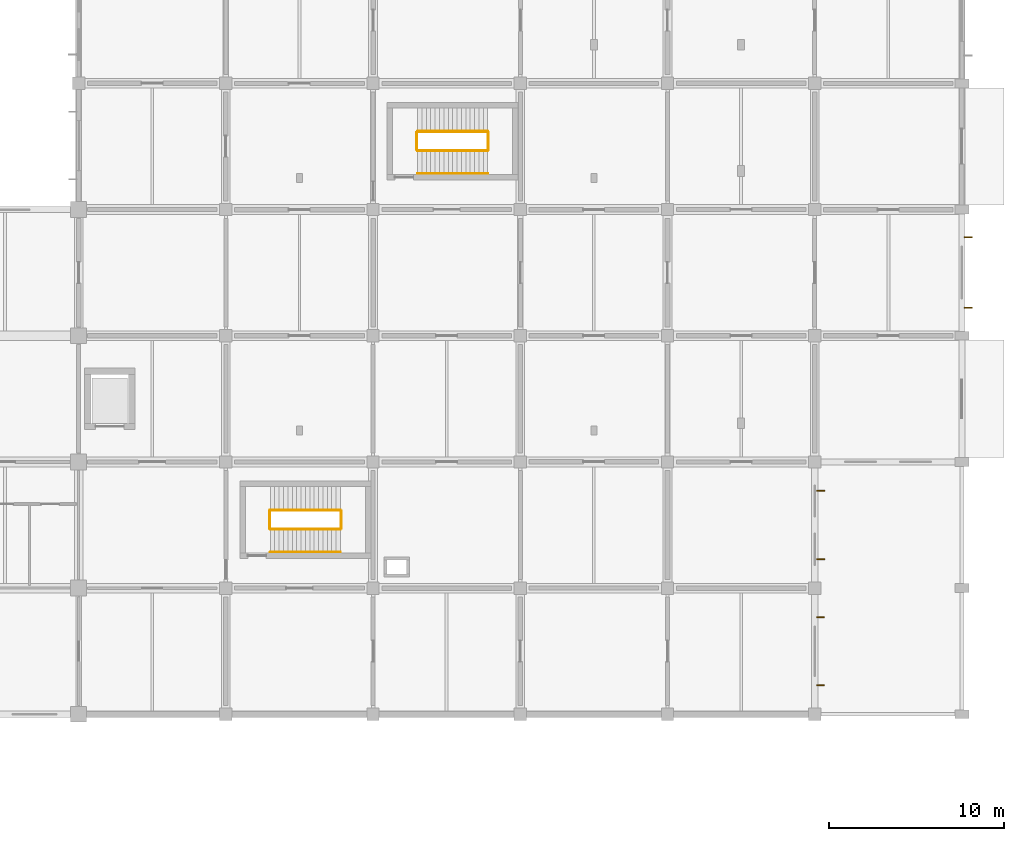
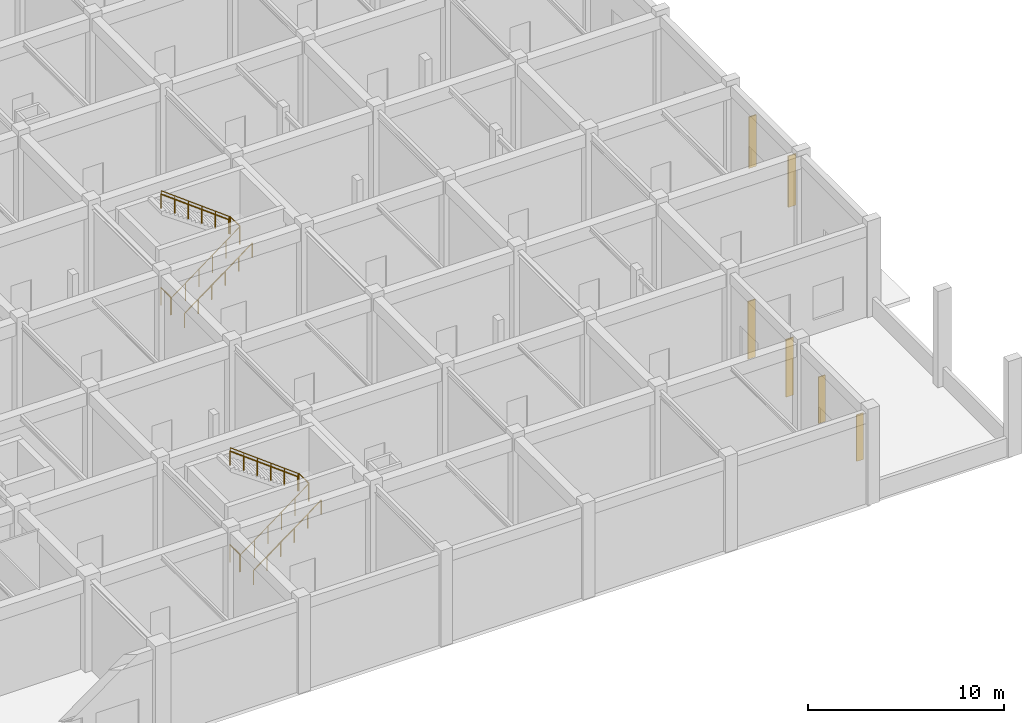
# One storey, part 37 of 39: 12 railings, 6 shading devices.
"""IFC4 building model written with IfcOpenShell, lengths in metres."""

from ifc_helpers import new_model, si_unit, derived_unit, direction, frame, origin, origin_2d, place, context, subcontext, project, spatial, rectangle, circle, extrude, material, layer, layer_set, type_object, element, save


model = new_model("IFC4")

# Units and contexts
model_context = context("Model", 3, precision=1e-05, world=origin(), true_north=direction((0.0, 1.0)))
body_context = subcontext(model_context, "Body", "Model", "MODEL_VIEW")
ifc_project = project(units=[si_unit("LENGTHUNIT", "METRE"), si_unit("AREAUNIT", "SQUARE_METRE"), si_unit("VOLUMEUNIT", "CUBIC_METRE"), si_unit("PLANEANGLEUNIT", "RADIAN"), si_unit("MASSUNIT", "GRAM", prefix="KILO"), derived_unit("THERMALTRANSMITTANCEUNIT", [(si_unit("MASSUNIT", "GRAM", prefix="KILO"), 1), (si_unit("TIMEUNIT", "SECOND"), -3), (si_unit("THERMODYNAMICTEMPERATUREUNIT", "KELVIN"), -1)])], contexts=[model_context])

# Site, building, storey
site_placement = place(None, origin())
site = spatial("IfcSite", under=ifc_project, at=site_placement, CompositionType="ELEMENT")
building_placement = place(site_placement, origin())
building = spatial("IfcBuilding", under=site, at=building_placement, Name="Veldstrom Oceanarium and Marine Research Institute", CompositionType="ELEMENT")
storey_placement = place(building_placement, origin())
storey = spatial("IfcBuildingStorey", under=building, at=storey_placement, Name="L00", CompositionType="ELEMENT", Elevation=0.0)

# Railings
ifc_material_1 = material(Name="Duplex Stainless Steel Balustrade", Category="steel")
ifc_layer_1 = layer(ifc_material_1, 0.06005859375)
ifc_layer_set_1 = layer_set([ifc_layer_1], Name="ARC-RLG-GR1")
railing_type_1 = type_object("IfcRailingType", Name="ARC-RLG-GR1", PredefinedType="GUARDRAIL", material=ifc_layer_set_1)
railing_1_placement = place(storey_placement, frame((128.5, 53.800048828125, 0.0)))
element("IfcRailing", 1, at=railing_1_placement, inside=storey, type_object=railing_type_1, Name="Stair Well Landing Guard ST4 L00", PredefinedType="GUARDRAIL", context=body_context, shape_type="SweptSolid", body=[
    extrude(circle(Radius=0.02392578125, at=origin_2d()), frame((0.0, 0.0, 1.09619140625), z_axis=(0.0, 1.0, 0.0), x_axis=(-1.0, 0.0, 0.0)), (0.0, 0.0, 1.0), 1.0),
    extrude(circle(Radius=0.02099609375, at=origin_2d()), origin(), (0.0, 0.0, 1.0), 1.072021484375),
    extrude(circle(Radius=0.02099609375, at=origin_2d()), frame((0.0, 1.0, 0.0)), (0.0, 0.0, 1.0), 1.072021484375),
])
railing_2_placement = place(storey_placement, frame((128.5400390625, 53.760009765625, 0.0)))
element("IfcRailing", 2, at=railing_2_placement, inside=storey, type_object=railing_type_1, Name="Stair Flight Guardrail ST4-L00-1", PredefinedType="GUARDRAIL", context=body_context, shape_type="SweptSolid", body=[
    extrude(circle(Radius=0.02392578125, at=origin_2d()), frame((0.0, 0.0, 1.09619140625), z_axis=(0.8, 0.0, 0.6), x_axis=(0.0, 1.0, 0.0)), (0.0, 0.0, 1.0), 5.0),
    extrude(circle(Radius=0.02099609375, at=origin_2d()), origin(), (0.0, 0.0, 1.0), 1.072021484375),
    extrude(circle(Radius=0.02099609375, at=origin_2d()), frame((0.800048828125, 0.0, 0.60009765625)), (0.0, 0.0, 1.0), 1.072021484375),
    extrude(circle(Radius=0.02099609375, at=origin_2d()), frame((1.60009765625, 0.0, 1.199951171875)), (0.0, 0.0, 1.0), 1.072021484375),
    extrude(circle(Radius=0.02099609375, at=origin_2d()), frame((2.39990234375, 0.0, 1.800048828125)), (0.0, 0.0, 1.0), 1.072021484375),
    extrude(circle(Radius=0.02099609375, at=origin_2d()), frame((3.199951171875, 0.0, 2.39990234375)), (0.0, 0.0, 1.0), 1.072021484375),
    extrude(circle(Radius=0.02099609375, at=origin_2d()), frame((4.0, 0.0, 3.0)), (0.0, 0.0, 1.0), 1.072021484375),
])
railing_3_placement = place(storey_placement, frame((132.580078125, 53.800048828125, 3.0)))
element("IfcRailing", 3, at=railing_3_placement, inside=storey, type_object=railing_type_1, Name="Stair Half-Landing Guardrail ST4-L00", PredefinedType="GUARDRAIL", context=body_context, shape_type="SweptSolid", body=[
    extrude(circle(Radius=0.02392578125, at=origin_2d()), frame((0.0, 0.0, 1.09619140625), z_axis=(0.0, 1.0, 0.0), x_axis=(-1.0, 0.0, 0.0)), (0.0, 0.0, 1.0), 1.0),
    extrude(circle(Radius=0.02099609375, at=origin_2d()), origin(), (0.0, 0.0, 1.0), 1.072021484375),
    extrude(circle(Radius=0.02099609375, at=origin_2d()), frame((0.0, 1.0, 0.0)), (0.0, 0.0, 1.0), 1.072021484375),
])
railing_4_placement = place(storey_placement, frame((132.5400390625, 54.840087890625, 3.0)))
element("IfcRailing", 4, at=railing_4_placement, inside=storey, type_object=railing_type_1, Name="Stair Flight Guardrail ST4-L00-2", PredefinedType="GUARDRAIL", context=body_context, shape_type="SweptSolid", body=[
    extrude(circle(Radius=0.02392578125, at=origin_2d()), frame((0.0, 0.0, 1.09619140625), z_axis=(-0.8, 0.0, 0.6), x_axis=(0.0, -1.0, 0.0)), (0.0, 0.0, 1.0), 5.0),
    extrude(circle(Radius=0.02099609375, at=origin_2d()), origin(), (0.0, 0.0, 1.0), 1.072021484375),
    extrude(circle(Radius=0.02099609375, at=origin_2d()), frame((-0.800048828125, 0.0, 0.60009765625)), (0.0, 0.0, 1.0), 1.072021484375),
    extrude(circle(Radius=0.02099609375, at=origin_2d()), frame((-1.60009765625, 0.0, 1.199951171875)), (0.0, 0.0, 1.0), 1.072021484375),
    extrude(circle(Radius=0.02099609375, at=origin_2d()), frame((-2.39990234375, 0.0, 1.800048828125)), (0.0, 0.0, 1.0), 1.072021484375),
    extrude(circle(Radius=0.02099609375, at=origin_2d()), frame((-3.199951171875, 0.0, 2.39990234375)), (0.0, 0.0, 1.0), 1.072021484375),
    extrude(circle(Radius=0.02099609375, at=origin_2d()), frame((-4.0, 0.0, 3.0)), (0.0, 0.0, 1.0), 1.072021484375),
])
railing_5_placement = place(storey_placement, frame((136.89990234375, 75.39990234375, 0.0)))
element("IfcRailing", 5, at=railing_5_placement, inside=storey, type_object=railing_type_1, Name="Stair Well Landing Guard ST7 L00", PredefinedType="GUARDRAIL", context=body_context, shape_type="SweptSolid", body=[
    extrude(circle(Radius=0.02392578125, at=origin_2d()), frame((0.0, 0.0, 1.09619140625), z_axis=(0.0, 1.0, 0.0), x_axis=(-1.0, 0.0, 0.0)), (0.0, 0.0, 1.0), 1.0),
    extrude(circle(Radius=0.02099609375, at=origin_2d()), origin(), (0.0, 0.0, 1.0), 1.072021484375),
    extrude(circle(Radius=0.02099609375, at=origin_2d()), frame((0.0, 1.0, 0.0)), (0.0, 0.0, 1.0), 1.072021484375),
])
railing_6_placement = place(storey_placement, frame((136.93994140625, 75.360107421875, 0.0)))
element("IfcRailing", 6, at=railing_6_placement, inside=storey, type_object=railing_type_1, Name="Stair Flight Guardrail ST7-L00-1", PredefinedType="GUARDRAIL", context=body_context, shape_type="SweptSolid", body=[
    extrude(circle(Radius=0.02392578125, at=origin_2d()), frame((0.0, 0.0, 1.09619140625), z_axis=(0.8, 0.0, 0.6), x_axis=(0.0, 1.0, 0.0)), (0.0, 0.0, 1.0), 5.0),
    extrude(circle(Radius=0.02099609375, at=origin_2d()), origin(), (0.0, 0.0, 1.0), 1.072021484375),
    extrude(circle(Radius=0.02099609375, at=origin_2d()), frame((0.800048828125, 0.0, 0.60009765625)), (0.0, 0.0, 1.0), 1.072021484375),
    extrude(circle(Radius=0.02099609375, at=origin_2d()), frame((1.60009765625, 0.0, 1.199951171875)), (0.0, 0.0, 1.0), 1.072021484375),
    extrude(circle(Radius=0.02099609375, at=origin_2d()), frame((2.39990234375, 0.0, 1.800048828125)), (0.0, 0.0, 1.0), 1.072021484375),
    extrude(circle(Radius=0.02099609375, at=origin_2d()), frame((3.199951171875, 0.0, 2.39990234375)), (0.0, 0.0, 1.0), 1.072021484375),
    extrude(circle(Radius=0.02099609375, at=origin_2d()), frame((4.0, 0.0, 3.0)), (0.0, 0.0, 1.0), 1.072021484375),
])
railing_7_placement = place(storey_placement, frame((140.97998046875, 75.39990234375, 3.0)))
element("IfcRailing", 7, at=railing_7_placement, inside=storey, type_object=railing_type_1, Name="Stair Half-Landing Guardrail ST7-L00", PredefinedType="GUARDRAIL", context=body_context, shape_type="SweptSolid", body=[
    extrude(circle(Radius=0.02392578125, at=origin_2d()), frame((0.0, 0.0, 1.09619140625), z_axis=(0.0, 1.0, 0.0), x_axis=(-1.0, 0.0, 0.0)), (0.0, 0.0, 1.0), 1.0),
    extrude(circle(Radius=0.02099609375, at=origin_2d()), origin(), (0.0, 0.0, 1.0), 1.072021484375),
    extrude(circle(Radius=0.02099609375, at=origin_2d()), frame((0.0, 1.0, 0.0)), (0.0, 0.0, 1.0), 1.072021484375),
])
railing_8_placement = place(storey_placement, frame((140.93994140625, 76.43994140625, 3.0)))
element("IfcRailing", 8, at=railing_8_placement, inside=storey, type_object=railing_type_1, Name="Stair Flight Guardrail ST7-L00-2", PredefinedType="GUARDRAIL", context=body_context, shape_type="SweptSolid", body=[
    extrude(circle(Radius=0.02392578125, at=origin_2d()), frame((0.0, 0.0, 1.09619140625), z_axis=(-0.8, 0.0, 0.6), x_axis=(0.0, -1.0, 0.0)), (0.0, 0.0, 1.0), 5.0),
    extrude(circle(Radius=0.02099609375, at=origin_2d()), origin(), (0.0, 0.0, 1.0), 1.072021484375),
    extrude(circle(Radius=0.02099609375, at=origin_2d()), frame((-0.800048828125, 0.0, 0.60009765625)), (0.0, 0.0, 1.0), 1.072021484375),
    extrude(circle(Radius=0.02099609375, at=origin_2d()), frame((-1.60009765625, 0.0, 1.199951171875)), (0.0, 0.0, 1.0), 1.072021484375),
    extrude(circle(Radius=0.02099609375, at=origin_2d()), frame((-2.39990234375, 0.0, 1.800048828125)), (0.0, 0.0, 1.0), 1.072021484375),
    extrude(circle(Radius=0.02099609375, at=origin_2d()), frame((-3.199951171875, 0.0, 2.39990234375)), (0.0, 0.0, 1.0), 1.072021484375),
    extrude(circle(Radius=0.02099609375, at=origin_2d()), frame((-4.0, 0.0, 3.0)), (0.0, 0.0, 1.0), 1.072021484375),
])
ifc_material_2 = material(Name="Brushed Stainless Steel Handrail", Category="steel")
ifc_layer_2 = layer(ifc_material_2, 0.050048828125)
ifc_layer_set_2 = layer_set([ifc_layer_2], Name="ARC-RLG-HR1")
railing_type_2 = type_object("IfcRailingType", Name="ARC-RLG-HR1", PredefinedType="HANDRAIL", material=ifc_layer_set_2)
railing_9_placement = place(storey_placement, frame((128.5400390625, 52.4599609375, 0.0)))
element("IfcRailing", 9, at=railing_9_placement, inside=storey, type_object=railing_type_2, Name="Stair Wall Handrail ST4-L00-1", PredefinedType="HANDRAIL", context=body_context, shape_type="SweptSolid", body=[
    extrude(circle(Radius=0.02392578125, at=origin_2d()), frame((0.0, 0.0, 0.8759765625), z_axis=(0.8, 0.0, 0.6), x_axis=(0.0, 1.0, 0.0)), (0.0, 0.0, 1.0), 5.0),
    extrude(circle(Radius=0.02099609375, at=origin_2d()), origin(), (0.0, 0.0, 1.0), 0.851806640625),
    extrude(circle(Radius=0.02099609375, at=origin_2d()), frame((0.800048828125, 0.0, 0.60009765625)), (0.0, 0.0, 1.0), 0.851806640625),
    extrude(circle(Radius=0.02099609375, at=origin_2d()), frame((1.60009765625, 0.0, 1.199951171875)), (0.0, 0.0, 1.0), 0.851806640625),
    extrude(circle(Radius=0.02099609375, at=origin_2d()), frame((2.39990234375, 0.0, 1.800048828125)), (0.0, 0.0, 1.0), 0.851806640625),
    extrude(circle(Radius=0.02099609375, at=origin_2d()), frame((3.199951171875, 0.0, 2.39990234375)), (0.0, 0.0, 1.0), 0.851806640625),
    extrude(circle(Radius=0.02099609375, at=origin_2d()), frame((4.0, 0.0, 3.0)), (0.0, 0.0, 1.0), 0.851806640625),
])
railing_10_placement = place(storey_placement, frame((132.5400390625, 54.860107421875, 3.0)))
element("IfcRailing", 10, at=railing_10_placement, inside=storey, type_object=railing_type_2, Name="Stair Wall Handrail ST4-L00-2", PredefinedType="HANDRAIL", context=body_context, shape_type="SweptSolid", body=[
    extrude(circle(Radius=0.02392578125, at=origin_2d()), frame((0.0, 0.0, 0.8759765625), z_axis=(-0.8, 0.0, 0.6), x_axis=(0.0, -1.0, 0.0)), (0.0, 0.0, 1.0), 5.0),
    extrude(circle(Radius=0.02099609375, at=origin_2d()), origin(), (0.0, 0.0, 1.0), 0.851806640625),
    extrude(circle(Radius=0.02099609375, at=origin_2d()), frame((-0.800048828125, 0.0, 0.60009765625)), (0.0, 0.0, 1.0), 0.851806640625),
    extrude(circle(Radius=0.02099609375, at=origin_2d()), frame((-1.60009765625, 0.0, 1.199951171875)), (0.0, 0.0, 1.0), 0.851806640625),
    extrude(circle(Radius=0.02099609375, at=origin_2d()), frame((-2.39990234375, 0.0, 1.800048828125)), (0.0, 0.0, 1.0), 0.851806640625),
    extrude(circle(Radius=0.02099609375, at=origin_2d()), frame((-3.199951171875, 0.0, 2.39990234375)), (0.0, 0.0, 1.0), 0.851806640625),
    extrude(circle(Radius=0.02099609375, at=origin_2d()), frame((-4.0, 0.0, 3.0)), (0.0, 0.0, 1.0), 0.851806640625),
])
railing_11_placement = place(storey_placement, frame((136.93994140625, 74.06005859375, 0.0)))
element("IfcRailing", 11, at=railing_11_placement, inside=storey, type_object=railing_type_2, Name="Stair Wall Handrail ST7-L00-1", PredefinedType="HANDRAIL", context=body_context, shape_type="SweptSolid", body=[
    extrude(circle(Radius=0.02392578125, at=origin_2d()), frame((0.0, 0.0, 0.8759765625), z_axis=(0.8, 0.0, 0.6), x_axis=(0.0, 1.0, 0.0)), (0.0, 0.0, 1.0), 5.0),
    extrude(circle(Radius=0.02099609375, at=origin_2d()), origin(), (0.0, 0.0, 1.0), 0.851806640625),
    extrude(circle(Radius=0.02099609375, at=origin_2d()), frame((0.800048828125, 0.0, 0.60009765625)), (0.0, 0.0, 1.0), 0.851806640625),
    extrude(circle(Radius=0.02099609375, at=origin_2d()), frame((1.60009765625, 0.0, 1.199951171875)), (0.0, 0.0, 1.0), 0.851806640625),
    extrude(circle(Radius=0.02099609375, at=origin_2d()), frame((2.39990234375, 0.0, 1.800048828125)), (0.0, 0.0, 1.0), 0.851806640625),
    extrude(circle(Radius=0.02099609375, at=origin_2d()), frame((3.199951171875, 0.0, 2.39990234375)), (0.0, 0.0, 1.0), 0.851806640625),
    extrude(circle(Radius=0.02099609375, at=origin_2d()), frame((4.0, 0.0, 3.0)), (0.0, 0.0, 1.0), 0.851806640625),
])
railing_12_placement = place(storey_placement, frame((140.93994140625, 76.4599609375, 3.0)))
element("IfcRailing", 12, at=railing_12_placement, inside=storey, type_object=railing_type_2, Name="Stair Wall Handrail ST7-L00-2", PredefinedType="HANDRAIL", context=body_context, shape_type="SweptSolid", body=[
    extrude(circle(Radius=0.02392578125, at=origin_2d()), frame((0.0, 0.0, 0.8759765625), z_axis=(-0.8, 0.0, 0.6), x_axis=(0.0, -1.0, 0.0)), (0.0, 0.0, 1.0), 5.0),
    extrude(circle(Radius=0.02099609375, at=origin_2d()), origin(), (0.0, 0.0, 1.0), 0.851806640625),
    extrude(circle(Radius=0.02099609375, at=origin_2d()), frame((-0.800048828125, 0.0, 0.60009765625)), (0.0, 0.0, 1.0), 0.851806640625),
    extrude(circle(Radius=0.02099609375, at=origin_2d()), frame((-1.60009765625, 0.0, 1.199951171875)), (0.0, 0.0, 1.0), 0.851806640625),
    extrude(circle(Radius=0.02099609375, at=origin_2d()), frame((-2.39990234375, 0.0, 1.800048828125)), (0.0, 0.0, 1.0), 0.851806640625),
    extrude(circle(Radius=0.02099609375, at=origin_2d()), frame((-3.199951171875, 0.0, 2.39990234375)), (0.0, 0.0, 1.0), 0.851806640625),
    extrude(circle(Radius=0.02099609375, at=origin_2d()), frame((-4.0, 0.0, 3.0)), (0.0, 0.0, 1.0), 0.851806640625),
])

# Shading devices
ifc_material_3 = material(Name="Precast Terracotta Brise-Soleil Louvre", Category="masonry")
ifc_layer_3 = layer(ifc_material_3, 3.60009765625)
ifc_layer_set_3 = layer_set([ifc_layer_3], Name="ARC-SHD-BS01")
shading_device_type_1 = type_object("IfcShadingDeviceType", Name="ARC-SHD-BS01", PredefinedType="JALOUSIE", material=ifc_layer_set_3)
for number, where, z_axis, x_axis, name in (
    (13, (159.945068359375, 52.050048828125, 1.037353515625), (0.0, 0.0, 1.0), (1.0, 0.0, 0.0), "Terracotta Brise-Soleil Louvre L00-020"),
    (14, (159.945068359375, 55.949951171875, 1.037353515625), (0.0, 0.0, 1.0), (1.0, 0.0, 0.0), "Terracotta Brise-Soleil Louvre L00-020"),
):
    element("IfcShadingDevice", number, at=place(storey_placement, frame(where, z_axis=z_axis, x_axis=x_axis)), inside=storey, type_object=shading_device_type_1, Name=name, PredefinedType="JALOUSIE", context=body_context, shape_type="SweptSolid", body=[
        extrude(rectangle(XDim=0.449951171875, YDim=0.06005859375, at=origin_2d()), origin(), (0.0, 0.0, 1.0), 3.60009765625),
    ])
ifc_material_4 = material(Name="Precast Terracotta Brise-Soleil Louvre", Category="masonry")
ifc_layer_4 = layer(ifc_material_4, 3.199951171875)
ifc_layer_set_4 = layer_set([ifc_layer_4], Name="ARC-SHD-BS02")
shading_device_type_2 = type_object("IfcShadingDeviceType", Name="ARC-SHD-BS02", PredefinedType="JALOUSIE", material=ifc_layer_set_4)
for number, where, z_axis, x_axis, name in (
    (15, (168.35498046875, 66.389892578125, 1.2373046875), (0.0, 0.0, 1.0), (1.0, 0.0, 0.0), "Terracotta Brise-Soleil Louvre L00-021"),
    (16, (168.35498046875, 70.409912109375, 1.2373046875), (0.0, 0.0, 1.0), (1.0, 0.0, 0.0), "Terracotta Brise-Soleil Louvre L00-021"),
):
    element("IfcShadingDevice", number, at=place(storey_placement, frame(where, z_axis=z_axis, x_axis=x_axis)), inside=storey, type_object=shading_device_type_2, Name=name, PredefinedType="JALOUSIE", context=body_context, shape_type="SweptSolid", body=[
        extrude(rectangle(XDim=0.449951171875, YDim=0.06005859375, at=origin_2d()), origin(), (0.0, 0.0, 1.0), 3.199951171875),
    ])
ifc_material_5 = material(Name="Precast Terracotta Brise-Soleil Louvre", Category="masonry")
ifc_layer_5 = layer(ifc_material_5, 2.89990234375)
ifc_layer_set_5 = layer_set([ifc_layer_5], Name="ARC-SHD-BS04")
shading_device_type_3 = type_object("IfcShadingDeviceType", Name="ARC-SHD-BS04", PredefinedType="JALOUSIE", material=ifc_layer_set_5)
for number, where, z_axis, x_axis, name in (
    (17, (159.929931640625, 44.85009765625, 1.387451171875), (0.0, 0.0, 1.0), (1.0, 0.0, 0.0), "Terracotta Brise-Soleil Louvre L00-019"),
    (18, (159.929931640625, 48.75, 1.387451171875), (0.0, 0.0, 1.0), (1.0, 0.0, 0.0), "Terracotta Brise-Soleil Louvre L00-019"),
):
    element("IfcShadingDevice", number, at=place(storey_placement, frame(where, z_axis=z_axis, x_axis=x_axis)), inside=storey, type_object=shading_device_type_3, Name=name, PredefinedType="JALOUSIE", context=body_context, shape_type="SweptSolid", body=[
        extrude(rectangle(XDim=0.39990234375, YDim=0.054931640625, at=origin_2d()), origin(), (0.0, 0.0, 1.0), 2.89990234375),
    ])

save(model, "model.ifc")
